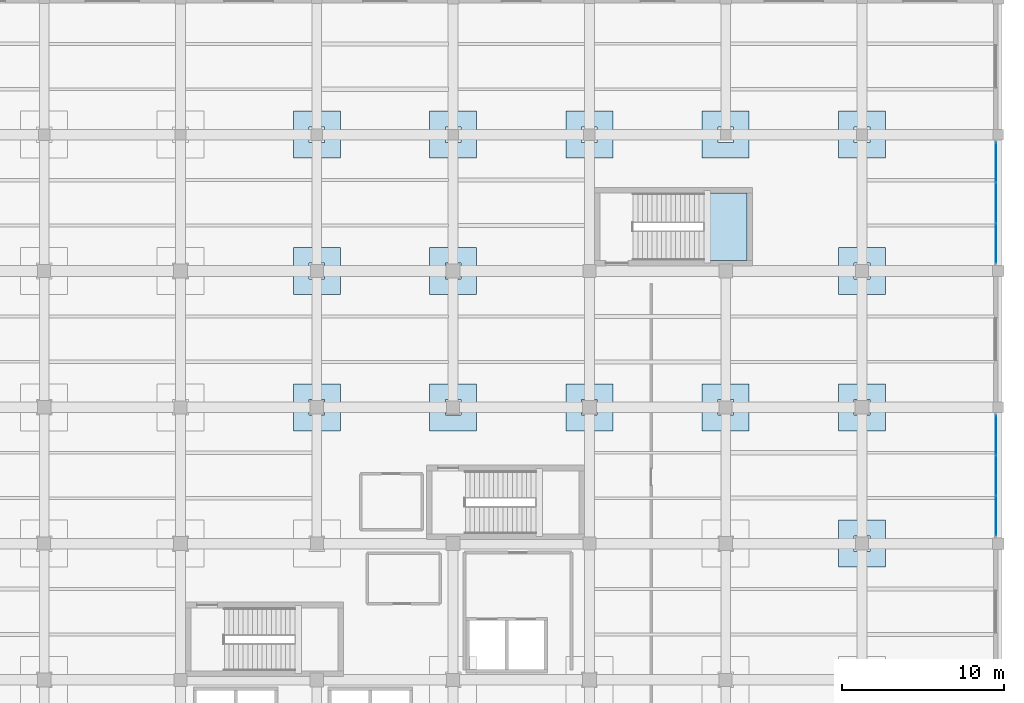
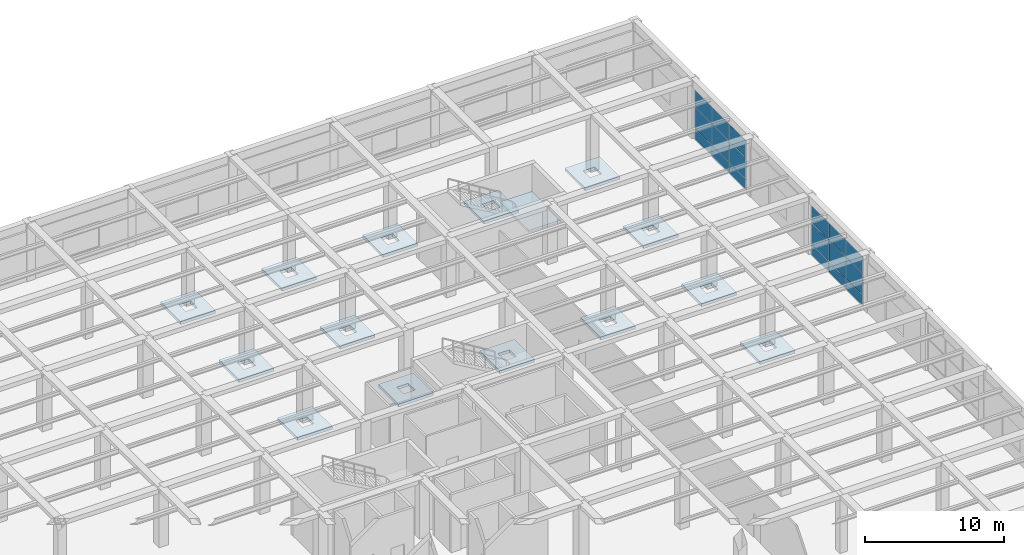
# One storey, part 46 of 65: 18 plates, 15 slabs, 3 elements without a shape of their own.
"""IFC4 building model written with IfcOpenShell, lengths in metres."""

from ifc_helpers import new_model, si_unit, direction, frame, origin, origin_2d, place, context, subcontext, project, spatial, polyline, rectangle, outline, extrude, material, layer, layer_set, type_object, element, aggregate, save


model = new_model("IFC4")

# Units and contexts
model_context = context("Model", 3, precision=1e-05, world=origin(), true_north=direction((0.0, 1.0)))
body_context = subcontext(model_context, "Body", "Model", "MODEL_VIEW")
ifc_project = project(units=[si_unit("LENGTHUNIT", "METRE"), si_unit("AREAUNIT", "SQUARE_METRE"), si_unit("VOLUMEUNIT", "CUBIC_METRE"), si_unit("PLANEANGLEUNIT", "RADIAN"), si_unit("MASSUNIT", "GRAM", prefix="KILO")], contexts=[model_context])

# Site, building, storey
site_placement = place(None, origin())
site = spatial("IfcSite", under=ifc_project, at=site_placement, CompositionType="ELEMENT")
building_placement = place(site_placement, origin())
building = spatial("IfcBuilding", under=site, at=building_placement, Name="Almacenes y Pasaje Nevantli", CompositionType="ELEMENT")
storey_placement = place(building_placement, frame((0.0, 0.0, 16.800048828125)))
storey = spatial("IfcBuildingStorey", under=building, at=storey_placement, Name="L04", CompositionType="ELEMENT", Elevation=16.800048828125)

# Curtain wall, plates
ifc_material_1 = material(Name="Thermally Broken Aluminium and Low-E Glass", Category="aluminium")
curtain_wall_type = type_object("IfcCurtainWallType", Name="CW-UNIT-PODIUM", PredefinedType="USERDEFINED", material=ifc_material_1)
curtain_wall_1_placement = place(storey_placement, origin())
curtain_wall_1 = element("IfcCurtainWall", 1, at=curtain_wall_1_placement, inside=storey, type_object=curtain_wall_type, Name="L04 East Office Wing Curtain Wall Bay 11", ObjectType="UNITIZED CURTAIN WALL", PredefinedType="USERDEFINED")
ifc_material_2 = material(Name="Low-E Double Glazed Insulated Unit", Category="glass")
ifc_layer_1 = layer(ifc_material_2, 0.031982421875)
ifc_layer_set_1 = layer_set([ifc_layer_1], Name="Low-E Double Glazed Insulated Unit")
plate_type = type_object("IfcPlateType", Name="PL-IGU-32", PredefinedType="CURTAIN_PANEL", material=ifc_layer_set_1)
plate_1_placement = place(storey_placement, frame((167.85009765625, 85.7138671875, 0.05517578125), z_axis=(0.0, 0.0, 1.0), x_axis=(0.0, 1.0, 0.0)))
plate_1 = element("IfcPlate", 2, at=plate_1_placement, type_object=plate_type, Name="CW-L04-081 panel 1.1", PredefinedType="CURTAIN_PANEL", context=body_context, shape_type="SweptSolid", body=[
    extrude(rectangle(XDim=2.41748046875, YDim=0.031982421875, at=origin_2d()), origin(), (0.0, 0.0, 1.0), 0.867431640625),
])
plate_2_placement = place(storey_placement, frame((167.85009765625, 85.7138671875, 0.9775390625), z_axis=(0.0, 0.0, 1.0), x_axis=(0.0, 1.0, 0.0)))
plate_2 = element("IfcPlate", 3, at=plate_2_placement, type_object=plate_type, Name="CW-L04-081 panel 1.2", PredefinedType="CURTAIN_PANEL", context=body_context, shape_type="SweptSolid", body=[
    extrude(rectangle(XDim=2.41748046875, YDim=0.031982421875, at=origin_2d()), origin(), (0.0, 0.0, 1.0), 1.844970703125),
])
plate_3_placement = place(storey_placement, frame((167.85009765625, 85.7138671875, 2.87744140625), z_axis=(0.0, 0.0, 1.0), x_axis=(0.0, 1.0, 0.0)))
plate_3 = element("IfcPlate", 4, at=plate_3_placement, type_object=plate_type, Name="CW-L04-081 panel 1.3", PredefinedType="CURTAIN_PANEL", context=body_context, shape_type="SweptSolid", body=[
    extrude(rectangle(XDim=2.41748046875, YDim=0.031982421875, at=origin_2d()), origin(), (0.0, 0.0, 1.0), 1.447509765625),
])
plate_4_placement = place(storey_placement, frame((167.85009765625, 88.199951171875, 0.05517578125), z_axis=(0.0, 0.0, 1.0), x_axis=(0.0, 1.0, 0.0)))
plate_4 = element("IfcPlate", 5, at=plate_4_placement, type_object=plate_type, Name="CW-L04-081 panel 2.1", PredefinedType="CURTAIN_PANEL", context=body_context, shape_type="SweptSolid", body=[
    extrude(rectangle(XDim=2.445068359375, YDim=0.031982421875, at=origin_2d()), origin(), (0.0, 0.0, 1.0), 0.867431640625),
])
plate_5_placement = place(storey_placement, frame((167.85009765625, 88.199951171875, 0.9775390625), z_axis=(0.0, 0.0, 1.0), x_axis=(0.0, 1.0, 0.0)))
plate_5 = element("IfcPlate", 6, at=plate_5_placement, type_object=plate_type, Name="CW-L04-081 panel 2.2", PredefinedType="CURTAIN_PANEL", context=body_context, shape_type="SweptSolid", body=[
    extrude(rectangle(XDim=2.445068359375, YDim=0.031982421875, at=origin_2d()), origin(), (0.0, 0.0, 1.0), 1.844970703125),
])
plate_6_placement = place(storey_placement, frame((167.85009765625, 88.199951171875, 2.87744140625), z_axis=(0.0, 0.0, 1.0), x_axis=(0.0, 1.0, 0.0)))
plate_6 = element("IfcPlate", 7, at=plate_6_placement, type_object=plate_type, Name="CW-L04-081 panel 2.3", PredefinedType="CURTAIN_PANEL", context=body_context, shape_type="SweptSolid", body=[
    extrude(rectangle(XDim=2.445068359375, YDim=0.031982421875, at=origin_2d()), origin(), (0.0, 0.0, 1.0), 1.447509765625),
])
plate_7_placement = place(storey_placement, frame((167.85009765625, 90.686279296875, 0.05517578125), z_axis=(0.0, 0.0, 1.0), x_axis=(0.0, 1.0, 0.0)))
plate_7 = element("IfcPlate", 8, at=plate_7_placement, type_object=plate_type, Name="CW-L04-081 panel 3.1", PredefinedType="CURTAIN_PANEL", context=body_context, shape_type="SweptSolid", body=[
    extrude(rectangle(XDim=2.41748046875, YDim=0.031982421875, at=origin_2d()), origin(), (0.0, 0.0, 1.0), 0.867431640625),
])
plate_8_placement = place(storey_placement, frame((167.85009765625, 90.686279296875, 0.9775390625), z_axis=(0.0, 0.0, 1.0), x_axis=(0.0, 1.0, 0.0)))
plate_8 = element("IfcPlate", 9, at=plate_8_placement, type_object=plate_type, Name="CW-L04-081 panel 3.2", PredefinedType="CURTAIN_PANEL", context=body_context, shape_type="SweptSolid", body=[
    extrude(rectangle(XDim=2.41748046875, YDim=0.031982421875, at=origin_2d()), origin(), (0.0, 0.0, 1.0), 1.844970703125),
])
plate_9_placement = place(storey_placement, frame((167.85009765625, 90.686279296875, 2.87744140625), z_axis=(0.0, 0.0, 1.0), x_axis=(0.0, 1.0, 0.0)))
plate_9 = element("IfcPlate", 10, at=plate_9_placement, type_object=plate_type, Name="CW-L04-081 panel 3.3", PredefinedType="CURTAIN_PANEL", context=body_context, shape_type="SweptSolid", body=[
    extrude(rectangle(XDim=2.41748046875, YDim=0.031982421875, at=origin_2d()), origin(), (0.0, 0.0, 1.0), 1.447509765625),
])
aggregate(curtain_wall_1, [plate_1, plate_2, plate_3, plate_4, plate_5, plate_6, plate_7, plate_8, plate_9])

curtain_wall_2_placement = place(storey_placement, origin())
curtain_wall_2 = element("IfcCurtainWall", 11, at=curtain_wall_2_placement, inside=storey, type_object=curtain_wall_type, Name="L04 East Office Wing Curtain Wall Bay 13", ObjectType="UNITIZED CURTAIN WALL", PredefinedType="USERDEFINED")
plate_10_placement = place(storey_placement, frame((167.85009765625, 102.513671875, 0.05517578125), z_axis=(0.0, 0.0, 1.0), x_axis=(0.0, 1.0, 0.0)))
plate_10 = element("IfcPlate", 12, at=plate_10_placement, type_object=plate_type, Name="CW-L04-082 panel 1.1", PredefinedType="CURTAIN_PANEL", context=body_context, shape_type="SweptSolid", body=[
    extrude(rectangle(XDim=2.41748046875, YDim=0.031982421875, at=origin_2d()), origin(), (0.0, 0.0, 1.0), 0.867431640625),
])
plate_11_placement = place(storey_placement, frame((167.85009765625, 102.513671875, 0.9775390625), z_axis=(0.0, 0.0, 1.0), x_axis=(0.0, 1.0, 0.0)))
plate_11 = element("IfcPlate", 13, at=plate_11_placement, type_object=plate_type, Name="CW-L04-082 panel 1.2", PredefinedType="CURTAIN_PANEL", context=body_context, shape_type="SweptSolid", body=[
    extrude(rectangle(XDim=2.41748046875, YDim=0.031982421875, at=origin_2d()), origin(), (0.0, 0.0, 1.0), 1.844970703125),
])
plate_12_placement = place(storey_placement, frame((167.85009765625, 102.513671875, 2.87744140625), z_axis=(0.0, 0.0, 1.0), x_axis=(0.0, 1.0, 0.0)))
plate_12 = element("IfcPlate", 14, at=plate_12_placement, type_object=plate_type, Name="CW-L04-082 panel 1.3", PredefinedType="CURTAIN_PANEL", context=body_context, shape_type="SweptSolid", body=[
    extrude(rectangle(XDim=2.41748046875, YDim=0.031982421875, at=origin_2d()), origin(), (0.0, 0.0, 1.0), 1.447509765625),
])
plate_13_placement = place(storey_placement, frame((167.85009765625, 105.0, 0.05517578125), z_axis=(0.0, 0.0, 1.0), x_axis=(0.0, 1.0, 0.0)))
plate_13 = element("IfcPlate", 15, at=plate_13_placement, type_object=plate_type, Name="CW-L04-082 panel 2.1", PredefinedType="CURTAIN_PANEL", context=body_context, shape_type="SweptSolid", body=[
    extrude(rectangle(XDim=2.445068359375, YDim=0.031982421875, at=origin_2d()), origin(), (0.0, 0.0, 1.0), 0.867431640625),
])
plate_14_placement = place(storey_placement, frame((167.85009765625, 105.0, 0.9775390625), z_axis=(0.0, 0.0, 1.0), x_axis=(0.0, 1.0, 0.0)))
plate_14 = element("IfcPlate", 16, at=plate_14_placement, type_object=plate_type, Name="CW-L04-082 panel 2.2", PredefinedType="CURTAIN_PANEL", context=body_context, shape_type="SweptSolid", body=[
    extrude(rectangle(XDim=2.445068359375, YDim=0.031982421875, at=origin_2d()), origin(), (0.0, 0.0, 1.0), 1.844970703125),
])
plate_15_placement = place(storey_placement, frame((167.85009765625, 105.0, 2.87744140625), z_axis=(0.0, 0.0, 1.0), x_axis=(0.0, 1.0, 0.0)))
plate_15 = element("IfcPlate", 17, at=plate_15_placement, type_object=plate_type, Name="CW-L04-082 panel 2.3", PredefinedType="CURTAIN_PANEL", context=body_context, shape_type="SweptSolid", body=[
    extrude(rectangle(XDim=2.445068359375, YDim=0.031982421875, at=origin_2d()), origin(), (0.0, 0.0, 1.0), 1.447509765625),
])
plate_16_placement = place(storey_placement, frame((167.85009765625, 107.486328125, 0.05517578125), z_axis=(0.0, 0.0, 1.0), x_axis=(0.0, 1.0, 0.0)))
plate_16 = element("IfcPlate", 18, at=plate_16_placement, type_object=plate_type, Name="CW-L04-082 panel 3.1", PredefinedType="CURTAIN_PANEL", context=body_context, shape_type="SweptSolid", body=[
    extrude(rectangle(XDim=2.41748046875, YDim=0.031982421875, at=origin_2d()), origin(), (0.0, 0.0, 1.0), 0.867431640625),
])
plate_17_placement = place(storey_placement, frame((167.85009765625, 107.486328125, 0.9775390625), z_axis=(0.0, 0.0, 1.0), x_axis=(0.0, 1.0, 0.0)))
plate_17 = element("IfcPlate", 19, at=plate_17_placement, type_object=plate_type, Name="CW-L04-082 panel 3.2", PredefinedType="CURTAIN_PANEL", context=body_context, shape_type="SweptSolid", body=[
    extrude(rectangle(XDim=2.41748046875, YDim=0.031982421875, at=origin_2d()), origin(), (0.0, 0.0, 1.0), 1.844970703125),
])
plate_18_placement = place(storey_placement, frame((167.85009765625, 107.486328125, 2.87744140625), z_axis=(0.0, 0.0, 1.0), x_axis=(0.0, 1.0, 0.0)))
plate_18 = element("IfcPlate", 20, at=plate_18_placement, type_object=plate_type, Name="CW-L04-082 panel 3.3", PredefinedType="CURTAIN_PANEL", context=body_context, shape_type="SweptSolid", body=[
    extrude(rectangle(XDim=2.41748046875, YDim=0.031982421875, at=origin_2d()), origin(), (0.0, 0.0, 1.0), 1.447509765625),
])
aggregate(curtain_wall_2, [plate_10, plate_11, plate_12, plate_13, plate_14, plate_15, plate_16, plate_17, plate_18])

# Slabs
ifc_material_3 = material(Name="Concrete C35/45", Category="concrete")
ifc_layer_2 = layer(ifc_material_3, 0.25)
ifc_layer_set_2 = layer_set([ifc_layer_2], Name="Concrete C35/45")
slab_type_1 = type_object("IfcSlabType", Name="SLB-DP-250", PredefinedType="USERDEFINED", material=ifc_layer_set_2)
slab_1_placement = place(storey_placement, frame((0.0, 0.0, -0.550048828125)))
element("IfcSlab", 21, at=slab_1_placement, inside=storey, type_object=slab_type_1, Name="L04 Punching-Shear Drop Panel DP-02 #885", ObjectType="DROP PANEL", PredefinedType="USERDEFINED", context=body_context, shape_type="SweptSolid", body=[
    extrude(outline(polyline([(124.550048828125, 90.949951171875), (127.449951171875, 90.949951171875), (127.449951171875, 93.85009765625), (124.550048828125, 93.85009765625), (124.550048828125, 90.949951171875)]), holes=[polyline([(125.52001953125, 91.919921875), (126.47998046875, 91.919921875), (126.47998046875, 92.8798828125), (125.52001953125, 92.8798828125), (125.52001953125, 91.919921875)])]), origin(), (0.0, 0.0, 1.0), 0.25),
])
slab_2_placement = place(storey_placement, frame((0.0, 0.0, -0.550048828125)))
element("IfcSlab", 22, at=slab_2_placement, inside=storey, type_object=slab_type_1, Name="L04 Punching-Shear Drop Panel DP-02 #886", ObjectType="DROP PANEL", PredefinedType="USERDEFINED", context=body_context, shape_type="SweptSolid", body=[
    extrude(outline(polyline([(124.550048828125, 99.35009765625), (127.449951171875, 99.35009765625), (127.449951171875, 102.25), (124.550048828125, 102.25), (124.550048828125, 99.35009765625)]), holes=[polyline([(125.52001953125, 100.320068359375), (126.47998046875, 100.320068359375), (126.47998046875, 101.280029296875), (125.52001953125, 101.280029296875), (125.52001953125, 100.320068359375)])]), origin(), (0.0, 0.0, 1.0), 0.25),
])
slab_3_placement = place(storey_placement, frame((0.0, 0.0, -0.550048828125)))
element("IfcSlab", 23, at=slab_3_placement, inside=storey, type_object=slab_type_1, Name="L04 Punching-Shear Drop Panel DP-02 #887", ObjectType="DROP PANEL", PredefinedType="USERDEFINED", context=body_context, shape_type="SweptSolid", body=[
    extrude(outline(polyline([(124.550048828125, 107.75), (127.449951171875, 107.75), (127.449951171875, 110.64990234375), (124.550048828125, 110.64990234375), (124.550048828125, 107.75)]), holes=[polyline([(125.52001953125, 108.719970703125), (126.47998046875, 108.719970703125), (126.47998046875, 109.679931640625), (125.52001953125, 109.679931640625), (125.52001953125, 108.719970703125)])]), origin(), (0.0, 0.0, 1.0), 0.25),
])
slab_4_placement = place(storey_placement, frame((0.0, 0.0, -0.550048828125)))
element("IfcSlab", 24, at=slab_4_placement, inside=storey, type_object=slab_type_1, Name="L04 Punching-Shear Drop Panel DP-02 #894", ObjectType="DROP PANEL", PredefinedType="USERDEFINED", context=body_context, shape_type="SweptSolid", body=[
    extrude(outline(polyline([(132.949951171875, 90.949951171875), (135.85009765625, 90.949951171875), (135.85009765625, 93.85009765625), (132.949951171875, 93.85009765625), (132.949951171875, 90.949951171875)]), holes=[polyline([(133.919921875, 91.919921875), (134.8798828125, 91.919921875), (134.8798828125, 92.8798828125), (133.919921875, 92.8798828125), (133.919921875, 91.919921875)])]), origin(), (0.0, 0.0, 1.0), 0.25),
])
slab_5_placement = place(storey_placement, frame((0.0, 0.0, -0.550048828125)))
element("IfcSlab", 25, at=slab_5_placement, inside=storey, type_object=slab_type_1, Name="L04 Punching-Shear Drop Panel DP-02 #895", ObjectType="DROP PANEL", PredefinedType="USERDEFINED", context=body_context, shape_type="SweptSolid", body=[
    extrude(outline(polyline([(132.949951171875, 99.35009765625), (135.85009765625, 99.35009765625), (135.85009765625, 102.25), (132.949951171875, 102.25), (132.949951171875, 99.35009765625)]), holes=[polyline([(133.919921875, 100.320068359375), (134.8798828125, 100.320068359375), (134.8798828125, 101.280029296875), (133.919921875, 101.280029296875), (133.919921875, 100.320068359375)])]), origin(), (0.0, 0.0, 1.0), 0.25),
])
slab_6_placement = place(storey_placement, frame((0.0, 0.0, -0.550048828125)))
element("IfcSlab", 26, at=slab_6_placement, inside=storey, type_object=slab_type_1, Name="L04 Punching-Shear Drop Panel DP-02 #896", ObjectType="DROP PANEL", PredefinedType="USERDEFINED", context=body_context, shape_type="SweptSolid", body=[
    extrude(outline(polyline([(132.949951171875, 107.75), (135.85009765625, 107.75), (135.85009765625, 110.64990234375), (132.949951171875, 110.64990234375), (132.949951171875, 107.75)]), holes=[polyline([(133.919921875, 108.719970703125), (134.8798828125, 108.719970703125), (134.8798828125, 109.679931640625), (133.919921875, 109.679931640625), (133.919921875, 108.719970703125)])]), origin(), (0.0, 0.0, 1.0), 0.25),
])
slab_7_placement = place(storey_placement, frame((0.0, 0.0, -0.550048828125)))
element("IfcSlab", 27, at=slab_7_placement, inside=storey, type_object=slab_type_1, Name="L04 Punching-Shear Drop Panel DP-02 #903", ObjectType="DROP PANEL", PredefinedType="USERDEFINED", context=body_context, shape_type="SweptSolid", body=[
    extrude(outline(polyline([(141.35009765625, 90.949951171875), (144.25, 90.949951171875), (144.25, 93.85009765625), (141.35009765625, 93.85009765625), (141.35009765625, 90.949951171875)]), holes=[polyline([(142.320068359375, 91.919921875), (143.280029296875, 91.919921875), (143.280029296875, 92.8798828125), (142.320068359375, 92.8798828125), (142.320068359375, 91.919921875)])]), origin(), (0.0, 0.0, 1.0), 0.25),
])
slab_8_placement = place(storey_placement, frame((0.0, 0.0, -0.550048828125)))
element("IfcSlab", 28, at=slab_8_placement, inside=storey, type_object=slab_type_1, Name="L04 Punching-Shear Drop Panel DP-02 #904", ObjectType="DROP PANEL", PredefinedType="USERDEFINED", context=body_context, shape_type="SweptSolid", body=[
    extrude(outline(polyline([(141.35009765625, 107.75), (144.25, 107.75), (144.25, 110.64990234375), (141.35009765625, 110.64990234375), (141.35009765625, 107.75)]), holes=[polyline([(142.320068359375, 108.719970703125), (143.280029296875, 108.719970703125), (143.280029296875, 109.679931640625), (142.320068359375, 109.679931640625), (142.320068359375, 108.719970703125)])]), origin(), (0.0, 0.0, 1.0), 0.25),
])
slab_9_placement = place(storey_placement, frame((0.0, 0.0, -0.550048828125)))
element("IfcSlab", 29, at=slab_9_placement, inside=storey, type_object=slab_type_1, Name="L04 Punching-Shear Drop Panel DP-02 #912", ObjectType="DROP PANEL", PredefinedType="USERDEFINED", context=body_context, shape_type="SweptSolid", body=[
    extrude(outline(polyline([(149.75, 90.949951171875), (152.64990234375, 90.949951171875), (152.64990234375, 93.85009765625), (149.75, 93.85009765625), (149.75, 90.949951171875)]), holes=[polyline([(150.719970703125, 91.919921875), (151.679931640625, 91.919921875), (151.679931640625, 92.8798828125), (150.719970703125, 92.8798828125), (150.719970703125, 91.919921875)])]), origin(), (0.0, 0.0, 1.0), 0.25),
])
slab_10_placement = place(storey_placement, frame((0.0, 0.0, -0.550048828125)))
element("IfcSlab", 30, at=slab_10_placement, inside=storey, type_object=slab_type_1, Name="L04 Punching-Shear Drop Panel DP-02 #913", ObjectType="DROP PANEL", PredefinedType="USERDEFINED", context=body_context, shape_type="SweptSolid", body=[
    extrude(outline(polyline([(149.75, 107.75), (152.64990234375, 107.75), (152.64990234375, 110.64990234375), (149.75, 110.64990234375), (149.75, 107.75)]), holes=[polyline([(150.719970703125, 108.719970703125), (151.679931640625, 108.719970703125), (151.679931640625, 109.679931640625), (150.719970703125, 109.679931640625), (150.719970703125, 108.719970703125)])]), origin(), (0.0, 0.0, 1.0), 0.25),
])
slab_11_placement = place(storey_placement, frame((0.0, 0.0, -0.550048828125)))
element("IfcSlab", 31, at=slab_11_placement, inside=storey, type_object=slab_type_1, Name="L04 Punching-Shear Drop Panel DP-02 #920", ObjectType="DROP PANEL", PredefinedType="USERDEFINED", context=body_context, shape_type="SweptSolid", body=[
    extrude(outline(polyline([(158.14990234375, 82.550048828125), (161.050048828125, 82.550048828125), (161.050048828125, 85.449951171875), (158.14990234375, 85.449951171875), (158.14990234375, 82.550048828125)]), holes=[polyline([(159.1201171875, 83.52001953125), (160.080078125, 83.52001953125), (160.080078125, 84.47998046875), (159.1201171875, 84.47998046875), (159.1201171875, 83.52001953125)])]), origin(), (0.0, 0.0, 1.0), 0.25),
])
slab_12_placement = place(storey_placement, frame((0.0, 0.0, -0.550048828125)))
element("IfcSlab", 32, at=slab_12_placement, inside=storey, type_object=slab_type_1, Name="L04 Punching-Shear Drop Panel DP-02 #921", ObjectType="DROP PANEL", PredefinedType="USERDEFINED", context=body_context, shape_type="SweptSolid", body=[
    extrude(outline(polyline([(158.14990234375, 90.949951171875), (161.050048828125, 90.949951171875), (161.050048828125, 93.85009765625), (158.14990234375, 93.85009765625), (158.14990234375, 90.949951171875)]), holes=[polyline([(159.1201171875, 91.919921875), (160.080078125, 91.919921875), (160.080078125, 92.8798828125), (159.1201171875, 92.8798828125), (159.1201171875, 91.919921875)])]), origin(), (0.0, 0.0, 1.0), 0.25),
])
slab_13_placement = place(storey_placement, frame((0.0, 0.0, -0.550048828125)))
element("IfcSlab", 33, at=slab_13_placement, inside=storey, type_object=slab_type_1, Name="L04 Punching-Shear Drop Panel DP-02 #922", ObjectType="DROP PANEL", PredefinedType="USERDEFINED", context=body_context, shape_type="SweptSolid", body=[
    extrude(outline(polyline([(158.14990234375, 99.35009765625), (161.050048828125, 99.35009765625), (161.050048828125, 102.25), (158.14990234375, 102.25), (158.14990234375, 99.35009765625)]), holes=[polyline([(159.1201171875, 100.320068359375), (160.080078125, 100.320068359375), (160.080078125, 101.280029296875), (159.1201171875, 101.280029296875), (159.1201171875, 100.320068359375)])]), origin(), (0.0, 0.0, 1.0), 0.25),
])
slab_14_placement = place(storey_placement, frame((0.0, 0.0, -0.550048828125)))
element("IfcSlab", 34, at=slab_14_placement, inside=storey, type_object=slab_type_1, Name="L04 Punching-Shear Drop Panel DP-02 #923", ObjectType="DROP PANEL", PredefinedType="USERDEFINED", context=body_context, shape_type="SweptSolid", body=[
    extrude(outline(polyline([(158.14990234375, 107.75), (161.050048828125, 107.75), (161.050048828125, 110.64990234375), (158.14990234375, 110.64990234375), (158.14990234375, 107.75)]), holes=[polyline([(159.1201171875, 108.719970703125), (160.080078125, 108.719970703125), (160.080078125, 109.679931640625), (159.1201171875, 109.679931640625), (159.1201171875, 108.719970703125)])]), origin(), (0.0, 0.0, 1.0), 0.25),
])

# Stair, slab
ifc_material_4 = material(Name="Concrete C35/45", Category="concrete")
stair_type = type_object("IfcStairType", Name="STR-CORE-1850", PredefinedType="HALF_TURN_STAIR", material=ifc_material_4)
stair_placement = place(storey_placement, origin())
stair = element("IfcStair", 35, at=stair_placement, inside=storey, type_object=stair_type, Name="L04 Staircase ST-07", PredefinedType="HALF_TURN_STAIR")
ifc_material_5 = material(Name="Concrete C35/45", Category="concrete")
ifc_layer_3 = layer(ifc_material_5, 0.199951171875)
ifc_layer_set_3 = layer_set([ifc_layer_3], Name="Concrete C35/45")
slab_type_2 = type_object("IfcSlabType", Name="SLB-LAND-200", PredefinedType="LANDING", material=ifc_layer_set_3)
slab_15_placement = place(storey_placement, frame((0.0, 0.0, 2.5)))
slab_15 = element("IfcSlab", 36, at=slab_15_placement, type_object=slab_type_2, Name="ST-07-L04 landing 1", PredefinedType="LANDING", context=body_context, shape_type="SweptSolid", body=[
    extrude(outline(polyline([(149.8349609375, 101.449951171875), (152.5, 101.449951171875), (152.5, 105.60009765625), (149.8349609375, 105.60009765625), (149.8349609375, 101.449951171875)])), origin(), (0.0, 0.0, 1.0), 0.199951171875),
])
aggregate(stair, [slab_15])

save(model, "model.ifc")
